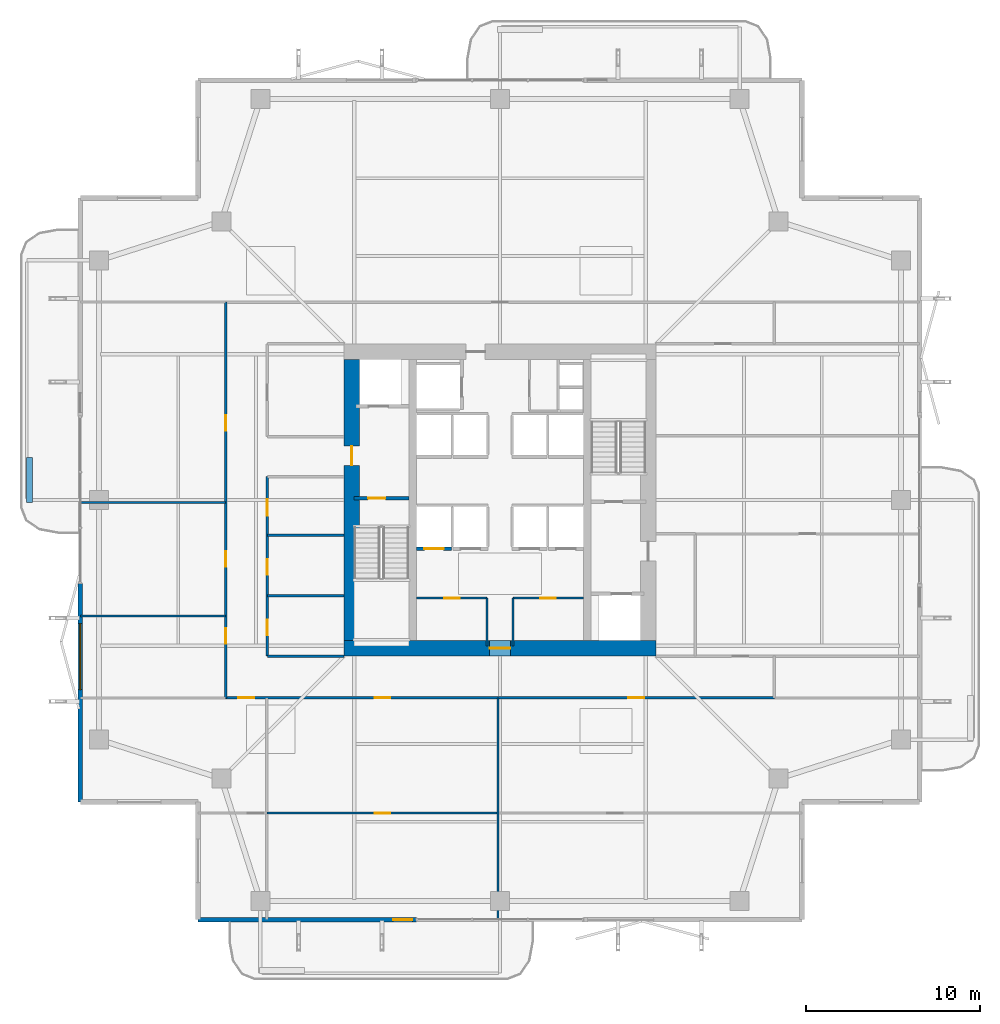
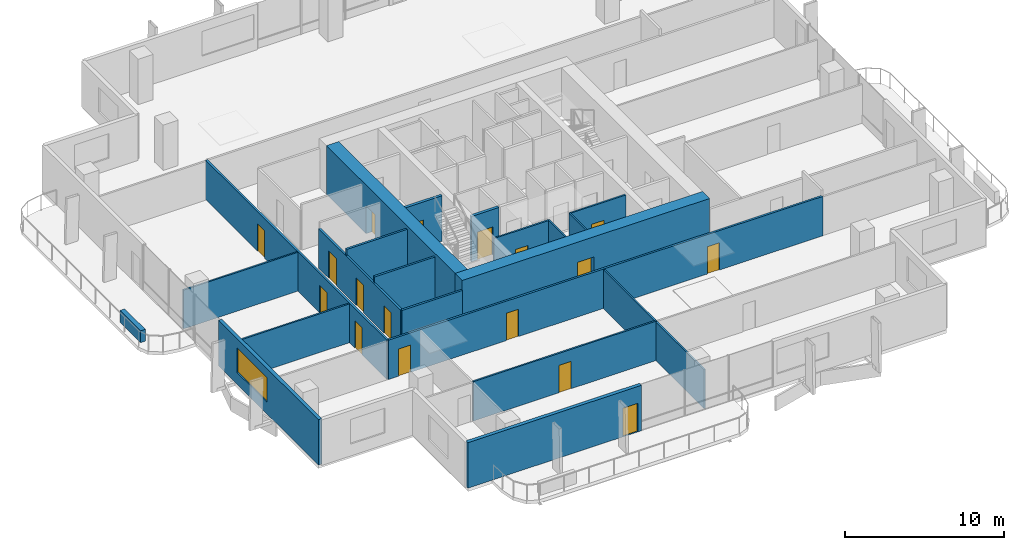
# One storey, part 19 of 25: 21 walls, 17 doors, 1 window, 18 openings.
"""IFC4 building model written with IfcOpenShell, lengths in metres."""

from ifc_helpers import new_model, si_unit, direction, frame, frame_2d, origin, place, context, subcontext, project, spatial, rectangle, extrude, material, layer, layer_set, type_object, element, fill, save


model = new_model("IFC4")

# Units and contexts
model_context = context("Model", 3, precision=1e-05, world=origin(), true_north=direction((0.0, 1.0)))
body_context = subcontext(model_context, "Body", "Model", "MODEL_VIEW")
ifc_project = project(units=[si_unit("LENGTHUNIT", "METRE"), si_unit("AREAUNIT", "SQUARE_METRE"), si_unit("VOLUMEUNIT", "CUBIC_METRE"), si_unit("PLANEANGLEUNIT", "RADIAN"), si_unit("MASSUNIT", "GRAM", prefix="KILO")], contexts=[model_context])

# Site, building, storey
site_placement = place(None, origin())
site = spatial("IfcSite", under=ifc_project, at=site_placement, CompositionType="ELEMENT")
building_placement = place(site_placement, origin())
building = spatial("IfcBuilding", under=site, at=building_placement, Name="Belovzor Exchange Tower", CompositionType="ELEMENT")
storey_placement = place(building_placement, frame((0.0, 0.0, 160.800048828125)))
storey = spatial("IfcBuildingStorey", under=building, at=storey_placement, Name="L39", CompositionType="ELEMENT", Elevation=160.800048828125)

# Wall, opening, door
ifc_material_1 = material(Name="Acoustic Plasterboard on Galvanised Studs", Category="gypsum")
ifc_layer_1 = layer(ifc_material_1, 0.1201171875)
ifc_layer_set_1 = layer_set([ifc_layer_1], Name="Acoustic Plasterboard on Galvanised Studs")
wall_type_1 = type_object("IfcWallType", Name="Acoustic Double-Stud Partition Wall 120", PredefinedType="PARTITIONING", material=ifc_layer_set_1)
wall_1_placement = place(storey_placement, frame((15.364990234375, 10.76611328125, 0.0), z_axis=(0.0, 0.0, 1.0), x_axis=(1.0, 0.0, 0.0)))
wall_1 = element("IfcWall", 1, at=wall_1_placement, inside=storey, type_object=wall_type_1, Name="W-P120 Partition Wall W-L39-SHDIV-1", PredefinedType="PARTITIONING", context=body_context, shape_type="SweptSolid", body=[
    extrude(rectangle(XDim=13.3310546875, YDim=0.1201171875, at=frame_2d((6.66552734375, 0.0))), origin(), (0.0, 0.0, 1.0), 3.030029296875),
])
opening_1_placement = place(wall_1_placement, frame((6.216064453125, 0.0, 0.0)))
opening_1 = element("IfcOpeningElement", 2, at=opening_1_placement, cuts=wall_1, Name="Opening D-INT-090", PredefinedType="OPENING", context=body_context, shape_type="SweptSolid", body=[
    extrude(rectangle(XDim=0.89990234375, YDim=2.10009765625, at=frame_2d((0.449951171875, 1.050048828125))), frame((0.0, 0.070068359375, 0.0), z_axis=(0.0, -1.0, 0.0), x_axis=(1.0, 0.0, 0.0)), (0.0, 0.0, 1.0), 0.14013671875),
])
ifc_material_2 = material(Name="Veneered Hardwood Acoustic Leaf", Category="wood")
door_type_1 = type_object("IfcDoorType", Name="Trading Suite Acoustic Single Door 900x2100", OperationType="NOTDEFINED", PredefinedType="DOOR", material=ifc_material_2)
door_1_placement = place(opening_1_placement, origin())
door_1 = element("IfcDoor", 3, at=door_1_placement, inside=storey, type_object=door_type_1, Name="D-INT-090 Trading Suite Acoustic Single Door 900x2100", OperationType="SINGLE_SWING_LEFT", OverallHeight=2.10009765625, OverallWidth=0.89990234375, PredefinedType="DOOR", context=body_context, shape_type="SweptSolid", body=[
    extrude(rectangle(XDim=0.89990234375, YDim=2.10009765625, at=frame_2d((0.449951171875, 1.050048828125))), frame((0.0, 0.02490234375, 0.0), z_axis=(0.0, -1.0, 0.0), x_axis=(1.0, 0.0, 0.0)), (0.0, 0.0, 1.0), 0.050048828125),
])
fill(opening_1, door_1)

# Walls
wall_2_placement = place(storey_placement, frame((28.696044921875, 4.6298828125, 0.0), z_axis=(0.0, 0.0, 1.0), x_axis=(0.0, 1.0, 0.0)))
element("IfcWall", 4, at=wall_2_placement, inside=storey, type_object=wall_type_1, Name="W-P120 Partition Wall W-L39-SDIV-2", PredefinedType="PARTITIONING", context=body_context, shape_type="SweptSolid", body=[
    extrude(rectangle(XDim=12.77001953125, YDim=0.1201171875, at=frame_2d((6.385009765625, 0.0))), origin(), (0.0, 0.0, 1.0), 2.97998046875),
])
for number, where, z_axis, x_axis, name in (
    (5, (4.6298828125, 22.1259765625, 0.0), (0.0, 0.0, 1.0), (1.0, 0.0, 0.0), "W-P120 Partition Wall W-L39-WDIV-1"),
    (6, (4.6298828125, 28.656982421875, 0.0), (0.0, 0.0, 1.0), (1.0, 0.0, 0.0), "W-P120 Partition Wall W-L39-WDIV-2"),
):
    element("IfcWall", number, at=place(storey_placement, frame(where, z_axis=z_axis, x_axis=x_axis)), inside=storey, type_object=wall_type_1, Name=name, PredefinedType="PARTITIONING", context=body_context, shape_type="SweptSolid", body=[
        extrude(rectangle(XDim=8.3701171875, YDim=0.1201171875, at=frame_2d((4.18505859375, 0.0))), origin(), (0.0, 0.0, 1.0), 2.97998046875),
    ])

# Wall, opening, door
ifc_material_3 = material(Name="Fire-Rated Plasterboard on Galvanised Studs", Category="gypsum")
ifc_layer_2 = layer(ifc_material_3, 0.1201171875)
ifc_layer_set_2 = layer_set([ifc_layer_2], Name="Fire-Rated Plasterboard on Galvanised Studs")
wall_type_2 = type_object("IfcWallType", Name="Fire-Rated Double-Stud Partition Wall 120", PredefinedType="PARTITIONING", material=ifc_layer_set_2)
wall_3_placement = place(storey_placement, frame((24.0, 23.14990234375, 0.0), z_axis=(0.0, 0.0, 1.0), x_axis=(1.0, 0.0, 0.0)))
wall_3 = element("IfcWall", 7, at=wall_3_placement, inside=storey, type_object=wall_type_2, Name="W-P120F Partition Wall W-CRL-L39-WN", PredefinedType="PARTITIONING", context=body_context, shape_type="SweptSolid", body=[
    extrude(rectangle(XDim=4.050048828125, YDim=0.1201171875, at=frame_2d((2.02490234375, 0.0))), origin(), (0.0, 0.0, 1.0), 3.494873046875),
])
opening_2_placement = place(wall_3_placement, frame((1.574951171875, 0.0, 0.0)))
opening_2 = element("IfcOpeningElement", 8, at=opening_2_placement, cuts=wall_3, Name="Opening D-FD60-090", PredefinedType="OPENING", context=body_context, shape_type="SweptSolid", body=[
    extrude(rectangle(XDim=0.89990234375, YDim=2.10009765625, at=frame_2d((0.449951171875, 1.050048828125))), frame((0.0, 0.070068359375, 0.0), z_axis=(0.0, -1.0, 0.0), x_axis=(1.0, 0.0, 0.0)), (0.0, 0.0, 1.0), 0.14013671875),
])
ifc_material_4 = material(Name="Acoustic Timber Fire Leaf", Category="wood")
door_type_2 = type_object("IfcDoorType", Name="Core Service & Restroom Fire Door 900x2100", OperationType="NOTDEFINED", PredefinedType="DOOR", material=ifc_material_4)
door_2_placement = place(opening_2_placement, origin())
door_2 = element("IfcDoor", 9, at=door_2_placement, inside=storey, type_object=door_type_2, Name="D-FD60-090 Core Service & Restroom Fire Door 900x2100", OperationType="SINGLE_SWING_LEFT", OverallHeight=2.10009765625, OverallWidth=0.89990234375, PredefinedType="DOOR", context=body_context, shape_type="SweptSolid", body=[
    extrude(rectangle(XDim=0.89990234375, YDim=2.10009765625, at=frame_2d((0.449951171875, 1.050048828125))), frame((0.0, 0.02490234375, 0.0), z_axis=(0.0, -1.0, 0.0), x_axis=(1.0, 0.0, 0.0)), (0.0, 0.0, 1.0), 0.050048828125),
])
fill(opening_2, door_2)

# Wall
wall_4_placement = place(storey_placement, frame((28.050048828125, 20.39990234375, 0.0), z_axis=(0.0, 0.0, 1.0), x_axis=(0.0, 1.0, 0.0)))
element("IfcWall", 10, at=wall_4_placement, inside=storey, type_object=wall_type_2, Name="W-P120F Partition Wall W-CRL-L39-WE", PredefinedType="PARTITIONING", context=body_context, shape_type="SweptSolid", body=[
    extrude(rectangle(XDim=2.75, YDim=0.1201171875, at=frame_2d((1.375, 0.0))), origin(), (0.0, 0.0, 1.0), 3.494873046875),
])

# Wall, opening, door
wall_5_placement = place(storey_placement, frame((29.550048828125, 23.14990234375, 0.0), z_axis=(0.0, 0.0, 1.0), x_axis=(1.0, 0.0, 0.0)))
wall_5 = element("IfcWall", 11, at=wall_5_placement, inside=storey, type_object=wall_type_2, Name="W-P120F Partition Wall W-CRL-L39-EN", PredefinedType="PARTITIONING", context=body_context, shape_type="SweptSolid", body=[
    extrude(rectangle(XDim=4.050048828125, YDim=0.1201171875, at=frame_2d((2.02490234375, 0.0))), origin(), (0.0, 0.0, 1.0), 3.494873046875),
])
opening_3_placement = place(wall_5_placement, frame((1.574951171875, 0.0, 0.0)))
opening_3 = element("IfcOpeningElement", 12, at=opening_3_placement, cuts=wall_5, Name="Opening D-FD60-090", PredefinedType="OPENING", context=body_context, shape_type="SweptSolid", body=[
    extrude(rectangle(XDim=0.89990234375, YDim=2.10009765625, at=frame_2d((0.449951171875, 1.050048828125))), frame((0.0, 0.070068359375, 0.0), z_axis=(0.0, -1.0, 0.0), x_axis=(1.0, 0.0, 0.0)), (0.0, 0.0, 1.0), 0.14013671875),
])
door_3_placement = place(opening_3_placement, origin())
door_3 = element("IfcDoor", 13, at=door_3_placement, inside=storey, type_object=door_type_2, Name="D-FD60-090 Core Service & Restroom Fire Door 900x2100", OperationType="SINGLE_SWING_RIGHT", OverallHeight=2.10009765625, OverallWidth=0.89990234375, PredefinedType="DOOR", context=body_context, shape_type="SweptSolid", body=[
    extrude(rectangle(XDim=0.89990234375, YDim=2.10009765625, at=frame_2d((0.449951171875, 1.050048828125))), frame((0.0, 0.02490234375, 0.0), z_axis=(0.0, -1.0, 0.0), x_axis=(1.0, 0.0, 0.0)), (0.0, 0.0, 1.0), 0.050048828125),
])
fill(opening_3, door_3)

# Walls
wall_6_placement = place(storey_placement, frame((29.550048828125, 20.39990234375, 0.0), z_axis=(0.0, 0.0, 1.0), x_axis=(0.0, 1.0, 0.0)))
element("IfcWall", 14, at=wall_6_placement, inside=storey, type_object=wall_type_2, Name="W-P120F Partition Wall W-CRL-L39-EW", PredefinedType="PARTITIONING", context=body_context, shape_type="SweptSolid", body=[
    extrude(rectangle(XDim=2.75, YDim=0.1201171875, at=frame_2d((1.375, 0.0))), origin(), (0.0, 0.0, 1.0), 3.494873046875),
])
ifc_material_5 = material(Name="Fire-Rated Gypsum Block and Mineral Wool", Category="gypsum")
ifc_layer_3 = layer(ifc_material_5, 0.14990234375)
ifc_layer_set_3 = layer_set([ifc_layer_3], Name="Fire-Rated Gypsum Block and Mineral Wool")
wall_type_3 = type_object("IfcWallType", Name="Fire-Rated Gypsum Block Corridor Wall 150", PredefinedType="PARTITIONING", material=ifc_layer_set_3)
wall_7_placement = place(storey_placement, frame((15.39990234375, 19.800048828125, 0.0), z_axis=(0.0, 0.0, 1.0), x_axis=(1.0, 0.0, 0.0)))
element("IfcWall", 15, at=wall_7_placement, inside=storey, type_object=wall_type_3, Name="W-P150 Partition Wall W-L39-WIC-S", PredefinedType="PARTITIONING", context=body_context, shape_type="SweptSolid", body=[
    extrude(rectangle(XDim=4.400146484375, YDim=0.14990234375, at=frame_2d((2.2001953125, 0.0))), origin(), (0.0, 0.0, 1.0), 3.030029296875),
])
for number, where, z_axis, x_axis, name in (
    (16, (15.39990234375, 23.27490234375, 0.0), (0.0, 0.0, 1.0), (1.0, 0.0, 0.0), "W-P150 Partition Wall W-L39-WIC-D1"),
    (17, (15.39990234375, 26.77490234375, 0.0), (0.0, 0.0, 1.0), (1.0, 0.0, 0.0), "W-P150 Partition Wall W-L39-WIC-D2"),
):
    element("IfcWall", number, at=place(storey_placement, frame(where, z_axis=z_axis, x_axis=x_axis)), inside=storey, type_object=wall_type_3, Name=name, PredefinedType="PARTITIONING", context=body_context, shape_type="SweptSolid", body=[
        extrude(rectangle(XDim=4.400146484375, YDim=0.14990234375, at=frame_2d((2.2001953125, 0.0))), origin(), (0.0, 0.0, 1.0), 3.494873046875),
    ])

# Wall, openings, doors
wall_8_placement = place(storey_placement, frame((15.39990234375, 19.800048828125, 0.0), z_axis=(0.0, 0.0, 1.0), x_axis=(0.0, 1.0, 0.0)))
wall_8 = element("IfcWall", 18, at=wall_8_placement, inside=storey, type_object=wall_type_3, Name="W-P150 Partition Wall W-L39-WIE-S", PredefinedType="PARTITIONING", context=body_context, shape_type="SweptSolid", body=[
    extrude(rectangle(XDim=10.349853515625, YDim=0.14990234375, at=frame_2d((5.1748046875, 0.0))), origin(), (0.0, 0.0, 1.0), 3.030029296875),
])
opening_4_placement = place(wall_8_placement, frame((1.199951171875, 0.0, 0.0)))
opening_4 = element("IfcOpeningElement", 19, at=opening_4_placement, cuts=wall_8, Name="Opening D-FD60-090", PredefinedType="OPENING", context=body_context, shape_type="SweptSolid", body=[
    extrude(rectangle(XDim=0.89990234375, YDim=2.10009765625, at=frame_2d((0.449951171875, 1.050048828125))), frame((0.0, 0.0849609375, 0.0), z_axis=(0.0, -1.0, 0.0), x_axis=(1.0, 0.0, 0.0)), (0.0, 0.0, 1.0), 0.169921875),
])
opening_5_placement = place(wall_8_placement, frame((4.699951171875, 0.0, 0.0)))
opening_5 = element("IfcOpeningElement", 20, at=opening_5_placement, cuts=wall_8, Name="Opening D-FD60-090", PredefinedType="OPENING", context=body_context, shape_type="SweptSolid", body=[
    extrude(rectangle(XDim=0.89990234375, YDim=2.10009765625, at=frame_2d((0.449951171875, 1.050048828125))), frame((0.0, 0.0849609375, 0.0), z_axis=(0.0, -1.0, 0.0), x_axis=(1.0, 0.0, 0.0)), (0.0, 0.0, 1.0), 0.169921875),
])
opening_6_placement = place(wall_8_placement, frame((8.10009765625, 0.0, 0.0)))
opening_6 = element("IfcOpeningElement", 21, at=opening_6_placement, cuts=wall_8, Name="Opening D-FD60-095", PredefinedType="OPENING", context=body_context, shape_type="SweptSolid", body=[
    extrude(rectangle(XDim=0.949951171875, YDim=2.10009765625, at=frame_2d((0.47509765625, 1.050048828125))), frame((0.0, 0.0849609375, 0.0), z_axis=(0.0, -1.0, 0.0), x_axis=(1.0, 0.0, 0.0)), (0.0, 0.0, 1.0), 0.169921875),
])
ifc_material_6 = material(Name="Moisture-Resistant Timber Fire Leaf", Category="wood")
door_type_3 = type_object("IfcDoorType", Name="Accessible Restroom Wide Fire Door 950x2100", OperationType="NOTDEFINED", PredefinedType="DOOR", material=ifc_material_6)
door_4_placement = place(opening_6_placement, origin())
door_4 = element("IfcDoor", 22, at=door_4_placement, inside=storey, type_object=door_type_3, Name="D-FD60-095 Accessible Restroom Wide Fire Door 950x2100", OperationType="SINGLE_SWING_LEFT", OverallHeight=2.10009765625, OverallWidth=0.949951171875, PredefinedType="DOOR", context=body_context, shape_type="SweptSolid", body=[
    extrude(rectangle(XDim=0.949951171875, YDim=2.10009765625, at=frame_2d((0.47509765625, 1.050048828125))), frame((0.0, 0.02490234375, 0.0), z_axis=(0.0, -1.0, 0.0), x_axis=(1.0, 0.0, 0.0)), (0.0, 0.0, 1.0), 0.050048828125),
])
fill(opening_6, door_4)
door_5_placement = place(opening_4_placement, origin())
door_5 = element("IfcDoor", 23, at=door_5_placement, inside=storey, type_object=door_type_2, Name="D-FD60-090 Core Service & Restroom Fire Door 900x2100", OperationType="SINGLE_SWING_LEFT", OverallHeight=2.10009765625, OverallWidth=0.89990234375, PredefinedType="DOOR", context=body_context, shape_type="SweptSolid", body=[
    extrude(rectangle(XDim=0.89990234375, YDim=2.10009765625, at=frame_2d((0.449951171875, 1.050048828125))), frame((0.0, 0.02490234375, 0.0), z_axis=(0.0, -1.0, 0.0), x_axis=(1.0, 0.0, 0.0)), (0.0, 0.0, 1.0), 0.050048828125),
])
fill(opening_4, door_5)
door_6_placement = place(opening_5_placement, origin())
door_6 = element("IfcDoor", 24, at=door_6_placement, inside=storey, type_object=door_type_2, Name="D-FD60-090 Core Service & Restroom Fire Door 900x2100", OperationType="SINGLE_SWING_RIGHT", OverallHeight=2.10009765625, OverallWidth=0.89990234375, PredefinedType="DOOR", context=body_context, shape_type="SweptSolid", body=[
    extrude(rectangle(XDim=0.89990234375, YDim=2.10009765625, at=frame_2d((0.449951171875, 1.050048828125))), frame((0.0, 0.02490234375, 0.0), z_axis=(0.0, -1.0, 0.0), x_axis=(1.0, 0.0, 0.0)), (0.0, 0.0, 1.0), 0.050048828125),
])
fill(opening_5, door_6)

wall_9_placement = place(storey_placement, frame((13.0, 17.39990234375, 0.0), z_axis=(0.0, 0.0, 1.0), x_axis=(1.0, 0.0, 0.0)))
wall_9 = element("IfcWall", 25, at=wall_9_placement, inside=storey, type_object=wall_type_3, Name="W-P150 Partition Wall W-L39-CS", PredefinedType="PARTITIONING", context=body_context, shape_type="SweptSolid", body=[
    extrude(rectangle(XDim=31.60009765625, YDim=0.14990234375, at=frame_2d((15.800048828125, 0.0))), origin(), (0.0, 0.0, 1.0), 3.030029296875),
])
opening_7_placement = place(wall_9_placement, frame((0.73291015625, 0.0, 0.0)))
opening_7 = element("IfcOpeningElement", 26, at=opening_7_placement, cuts=wall_9, Name="Opening D-INT-090", PredefinedType="OPENING", context=body_context, shape_type="SweptSolid", body=[
    extrude(rectangle(XDim=0.89990234375, YDim=2.10009765625, at=frame_2d((0.449951171875, 1.050048828125))), frame((0.0, 0.0849609375, 0.0), z_axis=(0.0, -1.0, 0.0), x_axis=(1.0, 0.0, 0.0)), (0.0, 0.0, 1.0), 0.169921875),
])
opening_8_placement = place(wall_9_placement, frame((8.5810546875, 0.0, 0.0)))
opening_8 = element("IfcOpeningElement", 27, at=opening_8_placement, cuts=wall_9, Name="Opening D-INT-090", PredefinedType="OPENING", context=body_context, shape_type="SweptSolid", body=[
    extrude(rectangle(XDim=0.89990234375, YDim=2.10009765625, at=frame_2d((0.449951171875, 1.050048828125))), frame((0.0, 0.0849609375, 0.0), z_axis=(0.0, -1.0, 0.0), x_axis=(1.0, 0.0, 0.0)), (0.0, 0.0, 1.0), 0.169921875),
])
opening_9_placement = place(wall_9_placement, frame((23.197998046875, 0.0, 0.0)))
opening_9 = element("IfcOpeningElement", 28, at=opening_9_placement, cuts=wall_9, Name="Opening D-INT-090", PredefinedType="OPENING", context=body_context, shape_type="SweptSolid", body=[
    extrude(rectangle(XDim=0.89990234375, YDim=2.10009765625, at=frame_2d((0.449951171875, 1.050048828125))), frame((0.0, 0.0849609375, 0.0), z_axis=(0.0, -1.0, 0.0), x_axis=(1.0, 0.0, 0.0)), (0.0, 0.0, 1.0), 0.169921875),
])
door_7_placement = place(opening_7_placement, origin())
door_7 = element("IfcDoor", 29, at=door_7_placement, inside=storey, type_object=door_type_1, Name="D-INT-090 Trading Suite Acoustic Single Door 900x2100", OperationType="SINGLE_SWING_RIGHT", OverallHeight=2.10009765625, OverallWidth=0.89990234375, PredefinedType="DOOR", context=body_context, shape_type="SweptSolid", body=[
    extrude(rectangle(XDim=0.89990234375, YDim=2.10009765625, at=frame_2d((0.449951171875, 1.050048828125))), frame((0.0, 0.02490234375, 0.0), z_axis=(0.0, -1.0, 0.0), x_axis=(1.0, 0.0, 0.0)), (0.0, 0.0, 1.0), 0.050048828125),
])
fill(opening_7, door_7)
door_8_placement = place(opening_8_placement, origin())
door_8 = element("IfcDoor", 30, at=door_8_placement, inside=storey, type_object=door_type_1, Name="D-INT-090 Trading Suite Acoustic Single Door 900x2100", OperationType="SINGLE_SWING_LEFT", OverallHeight=2.10009765625, OverallWidth=0.89990234375, PredefinedType="DOOR", context=body_context, shape_type="SweptSolid", body=[
    extrude(rectangle(XDim=0.89990234375, YDim=2.10009765625, at=frame_2d((0.449951171875, 1.050048828125))), frame((0.0, 0.02490234375, 0.0), z_axis=(0.0, -1.0, 0.0), x_axis=(1.0, 0.0, 0.0)), (0.0, 0.0, 1.0), 0.050048828125),
])
fill(opening_8, door_8)
door_9_placement = place(opening_9_placement, origin())
door_9 = element("IfcDoor", 31, at=door_9_placement, inside=storey, type_object=door_type_1, Name="D-INT-090 Trading Suite Acoustic Single Door 900x2100", OperationType="SINGLE_SWING_RIGHT", OverallHeight=2.10009765625, OverallWidth=0.89990234375, PredefinedType="DOOR", context=body_context, shape_type="SweptSolid", body=[
    extrude(rectangle(XDim=0.89990234375, YDim=2.10009765625, at=frame_2d((0.449951171875, 1.050048828125))), frame((0.0, 0.02490234375, 0.0), z_axis=(0.0, -1.0, 0.0), x_axis=(1.0, 0.0, 0.0)), (0.0, 0.0, 1.0), 0.050048828125),
])
fill(opening_9, door_9)

wall_10_placement = place(storey_placement, frame((13.0, 17.39990234375, 0.0), z_axis=(0.0, 0.0, 1.0), x_axis=(0.0, 1.0, 0.0)))
wall_10 = element("IfcWall", 32, at=wall_10_placement, inside=storey, type_object=wall_type_3, Name="W-P150 Partition Wall W-L39-CWO", PredefinedType="PARTITIONING", context=body_context, shape_type="SweptSolid", body=[
    extrude(rectangle(XDim=22.800048828125, YDim=0.14990234375, at=frame_2d((11.39990234375, 0.0))), origin(), (0.0, 0.0, 1.0), 3.030029296875),
])
opening_10_placement = place(wall_10_placement, frame((3.113037109375, 0.0, 0.0)))
opening_10 = element("IfcOpeningElement", 33, at=opening_10_placement, cuts=wall_10, Name="Opening D-INT-090", PredefinedType="OPENING", context=body_context, shape_type="SweptSolid", body=[
    extrude(rectangle(XDim=0.89990234375, YDim=2.10009765625, at=frame_2d((0.449951171875, 1.050048828125))), frame((0.0, 0.0849609375, 0.0), z_axis=(0.0, -1.0, 0.0), x_axis=(1.0, 0.0, 0.0)), (0.0, 0.0, 1.0), 0.169921875),
])
opening_11_placement = place(wall_10_placement, frame((7.5419921875, 0.0, 0.0)))
opening_11 = element("IfcOpeningElement", 34, at=opening_11_placement, cuts=wall_10, Name="Opening D-INT-090", PredefinedType="OPENING", context=body_context, shape_type="SweptSolid", body=[
    extrude(rectangle(XDim=0.89990234375, YDim=2.10009765625, at=frame_2d((0.449951171875, 1.050048828125))), frame((0.0, 0.0849609375, 0.0), z_axis=(0.0, -1.0, 0.0), x_axis=(1.0, 0.0, 0.0)), (0.0, 0.0, 1.0), 0.169921875),
])
opening_12_placement = place(wall_10_placement, frame((15.3779296875, 0.0, 0.0)))
opening_12 = element("IfcOpeningElement", 35, at=opening_12_placement, cuts=wall_10, Name="Opening D-INT-090", PredefinedType="OPENING", context=body_context, shape_type="SweptSolid", body=[
    extrude(rectangle(XDim=0.89990234375, YDim=2.10009765625, at=frame_2d((0.449951171875, 1.050048828125))), frame((0.0, 0.0849609375, 0.0), z_axis=(0.0, -1.0, 0.0), x_axis=(1.0, 0.0, 0.0)), (0.0, 0.0, 1.0), 0.169921875),
])
door_10_placement = place(opening_10_placement, origin())
door_10 = element("IfcDoor", 36, at=door_10_placement, inside=storey, type_object=door_type_1, Name="D-INT-090 Trading Suite Acoustic Single Door 900x2100", OperationType="SINGLE_SWING_LEFT", OverallHeight=2.10009765625, OverallWidth=0.89990234375, PredefinedType="DOOR", context=body_context, shape_type="SweptSolid", body=[
    extrude(rectangle(XDim=0.89990234375, YDim=2.10009765625, at=frame_2d((0.449951171875, 1.050048828125))), frame((0.0, 0.02490234375, 0.0), z_axis=(0.0, -1.0, 0.0), x_axis=(1.0, 0.0, 0.0)), (0.0, 0.0, 1.0), 0.050048828125),
])
fill(opening_10, door_10)
door_11_placement = place(opening_11_placement, origin())
door_11 = element("IfcDoor", 37, at=door_11_placement, inside=storey, type_object=door_type_1, Name="D-INT-090 Trading Suite Acoustic Single Door 900x2100", OperationType="SINGLE_SWING_LEFT", OverallHeight=2.10009765625, OverallWidth=0.89990234375, PredefinedType="DOOR", context=body_context, shape_type="SweptSolid", body=[
    extrude(rectangle(XDim=0.89990234375, YDim=2.10009765625, at=frame_2d((0.449951171875, 1.050048828125))), frame((0.0, 0.02490234375, 0.0), z_axis=(0.0, -1.0, 0.0), x_axis=(1.0, 0.0, 0.0)), (0.0, 0.0, 1.0), 0.050048828125),
])
fill(opening_11, door_11)
door_12_placement = place(opening_12_placement, origin())
door_12 = element("IfcDoor", 38, at=door_12_placement, inside=storey, type_object=door_type_1, Name="D-INT-090 Trading Suite Acoustic Single Door 900x2100", OperationType="SINGLE_SWING_LEFT", OverallHeight=2.10009765625, OverallWidth=0.89990234375, PredefinedType="DOOR", context=body_context, shape_type="SweptSolid", body=[
    extrude(rectangle(XDim=0.89990234375, YDim=2.10009765625, at=frame_2d((0.449951171875, 1.050048828125))), frame((0.0, 0.02490234375, 0.0), z_axis=(0.0, -1.0, 0.0), x_axis=(1.0, 0.0, 0.0)), (0.0, 0.0, 1.0), 0.050048828125),
])
fill(opening_12, door_12)

# Wall, opening, door
ifc_material_7 = material(Name="Precast concrete C40/50", Category="concrete")
ifc_layer_4 = layer(ifc_material_7, 0.260009765625)
ifc_layer_set_4 = layer_set([ifc_layer_4], Name="Precast concrete C40/50")
wall_type_4 = type_object("IfcWallType", Name="Precast Concrete Perimeter Loggia Frame Wall 260", PredefinedType="SOLIDWALL", material=ifc_layer_set_4)
wall_11_placement = place(storey_placement, frame((24.0, 4.6298828125, 0.0), z_axis=(0.0, 0.0, 1.0), x_axis=(-1.0, 0.0, 0.0)))
wall_11 = element("IfcWall", 39, at=wall_11_placement, inside=storey, type_object=wall_type_4, Name="W-EXT260 Precast Concrete Perimeter Loggia Frame Wall 260 L39", PredefinedType="SOLIDWALL", context=body_context, shape_type="SweptSolid", body=[
    extrude(rectangle(XDim=12.60009765625, YDim=0.260009765625, at=frame_2d((6.300048828125, 0.0))), origin(), (0.0, 0.0, 1.0), 3.494873046875),
])
opening_13_placement = place(wall_11_placement, frame((0.25, 0.0, 0.0)))
opening_13 = element("IfcOpeningElement", 40, at=opening_13_placement, cuts=wall_11, Name="Opening D-BAL110", PredefinedType="OPENING", context=body_context, shape_type="SweptSolid", body=[
    extrude(rectangle(XDim=1.10009765625, YDim=2.199951171875, at=frame_2d((0.550048828125, 1.10009765625))), frame((0.0, 0.139892578125, 0.0), z_axis=(0.0, -1.0, 0.0), x_axis=(1.0, 0.0, 0.0)), (0.0, 0.0, 1.0), 0.280029296875),
])
ifc_material_8 = material(Name="Thermally Broken Anodised Aluminium and Laminated Glass", Category="aluminium")
door_type_4 = type_object("IfcDoorType", Name="Planted Loggia Terrace Glazed Door 1100x2200", OperationType="SINGLE_SWING_LEFT", PredefinedType="DOOR", material=ifc_material_8)
door_13_placement = place(opening_13_placement, origin())
door_13 = element("IfcDoor", 41, at=door_13_placement, inside=storey, type_object=door_type_4, Name="D-BAL110 Balcony Terrace Door L39 S", OperationType="SINGLE_SWING_LEFT", OverallHeight=2.199951171875, OverallWidth=1.10009765625, PredefinedType="DOOR", context=body_context, shape_type="SweptSolid", body=[
    extrude(rectangle(XDim=1.10009765625, YDim=2.199951171875, at=frame_2d((0.550048828125, 1.10009765625))), frame((0.0, 0.02490234375, 0.0), z_axis=(0.0, -1.0, 0.0), x_axis=(1.0, 0.0, 0.0)), (0.0, 0.0, 1.0), 0.050048828125),
])
fill(opening_13, door_13)

# Wall, opening, window
wall_12_placement = place(storey_placement, frame((4.6298828125, 11.39990234375, 0.0), z_axis=(0.0, 0.0, 1.0), x_axis=(0.0, 1.0, 0.0)))
wall_12 = element("IfcWall", 42, at=wall_12_placement, inside=storey, type_object=wall_type_4, Name="W-EXT260 Precast Concrete Perimeter Loggia Frame Wall 260 L39", PredefinedType="SOLIDWALL", context=body_context, shape_type="SweptSolid", body=[
    extrude(rectangle(XDim=12.60009765625, YDim=0.260009765625, at=frame_2d((6.300048828125, 0.0))), origin(), (0.0, 0.0, 1.0), 3.494873046875),
])
opening_14_placement = place(wall_12_placement, frame((6.47509765625, 0.0, 0.89990234375)))
opening_14 = element("IfcOpeningElement", 43, at=opening_14_placement, cuts=wall_12, Name="Opening WN-RIB380", PredefinedType="OPENING", context=body_context, shape_type="SweptSolid", body=[
    extrude(rectangle(XDim=3.800048828125, YDim=1.89990234375, at=frame_2d((1.89990234375, 0.949951171875))), frame((0.0, 0.139892578125, 0.0), z_axis=(0.0, -1.0, 0.0), x_axis=(1.0, 0.0, 0.0)), (0.0, 0.0, 1.0), 0.280029296875),
])
ifc_material_9 = material(Name="Thermally Broken Aluminium and Triple Glazing", Category="aluminium")
window_type = type_object("IfcWindowType", Name="Streamline Moderne Horizontal Ribbon Window 3800x1900", PartitioningType="SINGLE_PANEL", PredefinedType="WINDOW", material=ifc_material_9)
window_placement = place(opening_14_placement, origin())
window = element("IfcWindow", 44, at=window_placement, inside=storey, type_object=window_type, Name="WN-RIB380 Streamline Moderne Horizontal Ribbon Window 3800x1900", OverallHeight=1.89990234375, OverallWidth=3.800048828125, PartitioningType="SINGLE_PANEL", PredefinedType="WINDOW", context=body_context, shape_type="SweptSolid", body=[
    extrude(rectangle(XDim=3.800048828125, YDim=1.89990234375, at=frame_2d((1.89990234375, 0.949951171875))), frame((0.0, 0.030029296875, 0.0), z_axis=(0.0, -1.0, 0.0), x_axis=(1.0, 0.0, 0.0)), (0.0, 0.0, 1.0), 0.06005859375),
])
fill(opening_14, window)

# Wall
ifc_material_10 = material(Name="Precast concrete C40/50", Category="concrete")
ifc_layer_5 = layer(ifc_material_10, 0.35009765625)
ifc_layer_set_5 = layer_set([ifc_layer_5], Name="Precast concrete C40/50")
wall_type_5 = type_object("IfcWallType", Name="Precast Concrete Structural Tree Planter Trough 350", PredefinedType="PARAPET", material=ifc_layer_set_5)
wall_13_placement = place(storey_placement, frame((1.699951171875, 28.64990234375, 0.0), z_axis=(0.0, 0.0, 1.0), x_axis=(0.0, 1.0, 0.0)))
element("IfcWall", 45, at=wall_13_placement, inside=storey, type_object=wall_type_5, Name="PT-350 Precast Concrete Structural Tree Planter Trough 350 L39", PredefinedType="PARAPET", context=body_context, shape_type="SweptSolid", body=[
    extrude(rectangle(XDim=2.60009765625, YDim=0.35009765625, at=frame_2d((1.300048828125, 0.0))), origin(), (0.0, 0.0, 1.0), 0.89990234375),
])

# Wall, opening, door
ifc_material_11 = material(Name="Concrete C50/60", Category="concrete")
ifc_layer_6 = layer(ifc_material_11, 0.199951171875)
ifc_layer_set_6 = layer_set([ifc_layer_6], Name="Concrete C50/60")
wall_type_6 = type_object("IfcWallType", Name="Reinforced Concrete Core Shaft Shear Wall 200", PredefinedType="SHEAR", material=ifc_layer_set_6)
wall_14_placement = place(storey_placement, frame((20.39990234375, 28.89990234375, 0.0), z_axis=(0.0, 0.0, 1.0), x_axis=(1.0, 0.0, 0.0)))
wall_14 = element("IfcWall", 46, at=wall_14_placement, inside=storey, type_object=wall_type_6, Name="W-C200S Core Shaft Wall W-CORE-L39-FFLW1", PredefinedType="SHEAR", context=body_context, shape_type="SweptSolid", body=[
    extrude(rectangle(XDim=3.150146484375, YDim=0.199951171875, at=frame_2d((1.5751953125, 0.0))), origin(), (0.0, 0.0, 1.0), 3.494873046875),
])
opening_15_placement = place(wall_14_placement, frame((0.800048828125, 0.0, 0.0)))
opening_15 = element("IfcOpeningElement", 47, at=opening_15_placement, cuts=wall_14, Name="Opening D-FD90-100", PredefinedType="OPENING", context=body_context, shape_type="SweptSolid", body=[
    extrude(rectangle(XDim=1.0, YDim=2.10009765625, at=frame_2d((0.5, 1.050048828125))), frame((0.0, 0.10986328125, 0.0), z_axis=(0.0, -1.0, 0.0), x_axis=(1.0, 0.0, 0.0)), (0.0, 0.0, 1.0), 0.219970703125),
])
ifc_material_12 = material(Name="Fire-Rated Galvanised Steel Leaf", Category="steel")
door_type_5 = type_object("IfcDoorType", Name="Protected Stairwell Single Fire Door 1000x2100", OperationType="NOTDEFINED", PredefinedType="DOOR", material=ifc_material_12)
door_14_placement = place(opening_15_placement, origin())
door_14 = element("IfcDoor", 48, at=door_14_placement, inside=storey, type_object=door_type_5, Name="D-FD90-100 Protected Stairwell Single Fire Door 1000x2100", OperationType="SINGLE_SWING_RIGHT", OverallHeight=2.10009765625, OverallWidth=1.0, PredefinedType="DOOR", context=body_context, shape_type="SweptSolid", body=[
    extrude(rectangle(XDim=1.0, YDim=2.10009765625, at=frame_2d((0.5, 1.050048828125))), frame((0.0, 0.02490234375, 0.0), z_axis=(0.0, -1.0, 0.0), x_axis=(1.0, 0.0, 0.0)), (0.0, 0.0, 1.0), 0.050048828125),
])
fill(opening_15, door_14)

wall_15_placement = place(storey_placement, frame((24.0, 26.0, 0.0), z_axis=(0.0, 0.0, 1.0), x_axis=(1.0, 0.0, 0.0)))
wall_15 = element("IfcWall", 49, at=wall_15_placement, inside=storey, type_object=wall_type_6, Name="W-C200S Core Shaft Wall W-SH-L39-PL-M1", PredefinedType="SHEAR", context=body_context, shape_type="SweptSolid", body=[
    extrude(rectangle(XDim=2.0, YDim=0.199951171875, at=frame_2d((1.0, 0.0))), origin(), (0.0, 0.0, 1.0), 3.494873046875),
])
opening_16_placement = place(wall_15_placement, frame((0.449951171875, 0.0, 0.0)))
opening_16 = element("IfcOpeningElement", 50, at=opening_16_placement, cuts=wall_15, Name="Opening LD-110", PredefinedType="OPENING", context=body_context, shape_type="SweptSolid", body=[
    extrude(rectangle(XDim=1.10009765625, YDim=2.14990234375, at=frame_2d((0.550048828125, 1.074951171875))), frame((0.0, 0.10986328125, 0.0), z_axis=(0.0, -1.0, 0.0), x_axis=(1.0, 0.0, 0.0)), (0.0, 0.0, 1.0), 0.219970703125),
])
ifc_material_13 = material(Name="Stainless Steel Grade 304", Category="steel")
door_type_6 = type_object("IfcDoorType", Name="Automated Stainless Steel Lift Landing Door 1100x2150", OperationType="SLIDING_TO_RIGHT", PredefinedType="DOOR", material=ifc_material_13)
door_15_placement = place(opening_16_placement, origin())
door_15 = element("IfcDoor", 51, at=door_15_placement, inside=storey, type_object=door_type_6, Name="LD-110 Automated Stainless Steel Lift Landing Door 1100x2150", OperationType="SLIDING_TO_RIGHT", OverallHeight=2.14990234375, OverallWidth=1.10009765625, PredefinedType="DOOR", context=body_context, shape_type="SweptSolid", body=[
    extrude(rectangle(XDim=1.10009765625, YDim=2.14990234375, at=frame_2d((0.550048828125, 1.074951171875))), frame((0.0, 0.02490234375, 0.0), z_axis=(0.0, -1.0, 0.0), x_axis=(1.0, 0.0, 0.0)), (0.0, 0.0, 1.0), 0.050048828125),
])
fill(opening_16, door_15)

ifc_material_14 = material(Name="Concrete C60/75", Category="concrete")
ifc_layer_7 = layer(ifc_material_14, 0.89990234375)
ifc_layer_set_7 = layer_set([ifc_layer_7], Name="Concrete C60/75")
wall_type_7 = type_object("IfcWallType", Name="Reinforced Concrete Core Shear Wall 900", PredefinedType="SHEAR", material=ifc_layer_set_7)
wall_16_placement = place(storey_placement, frame((19.800048828125, 20.25, 0.0), z_axis=(0.0, 0.0, 1.0), x_axis=(1.0, 0.0, 0.0)))
wall_16 = element("IfcWall", 52, at=wall_16_placement, inside=storey, type_object=wall_type_7, Name="CW-S090 Core Shear Wall L39 S", PredefinedType="SHEAR", context=body_context, shape_type="SweptSolid", body=[
    extrude(rectangle(XDim=18.0, YDim=0.89990234375, at=frame_2d((9.0, 0.0))), origin(), (0.0, 0.0, 1.0), 3.75),
])
opening_17_placement = place(wall_16_placement, frame((8.39990234375, 0.0, 0.0)))
opening_17 = element("IfcOpeningElement", 53, at=opening_17_placement, cuts=wall_16, Name="Opening D-FD90-120", PredefinedType="OPENING", context=body_context, shape_type="SweptSolid", body=[
    extrude(rectangle(XDim=1.199951171875, YDim=2.199951171875, at=frame_2d((0.60009765625, 1.10009765625))), frame((0.0, 0.4599609375, 0.0), z_axis=(0.0, -1.0, 0.0), x_axis=(1.0, 0.0, 0.0)), (0.0, 0.0, 1.0), 0.919921875),
])
ifc_material_15 = material(Name="Fire-Rated Galvanised Steel Leaf", Category="steel")
door_type_7 = type_object("IfcDoorType", Name="Heavy Plant & Foyer Fire Door 1200x2200", OperationType="NOTDEFINED", PredefinedType="DOOR", material=ifc_material_15)
door_16_placement = place(opening_17_placement, origin())
door_16 = element("IfcDoor", 54, at=door_16_placement, inside=storey, type_object=door_type_7, Name="D-FD90-120 Heavy Plant & Foyer Fire Door 1200x2200", OperationType="SINGLE_SWING_LEFT", OverallHeight=2.199951171875, OverallWidth=1.199951171875, PredefinedType="DOOR", context=body_context, shape_type="SweptSolid", body=[
    extrude(rectangle(XDim=1.199951171875, YDim=2.199951171875, at=frame_2d((0.60009765625, 1.10009765625))), frame((0.0, 0.02490234375, 0.0), z_axis=(0.0, -1.0, 0.0), x_axis=(1.0, 0.0, 0.0)), (0.0, 0.0, 1.0), 0.050048828125),
])
fill(opening_17, door_16)

wall_17_placement = place(storey_placement, frame((20.25, 20.699951171875, 0.0), z_axis=(0.0, 0.0, 1.0), x_axis=(0.0, 1.0, 0.0)))
wall_17 = element("IfcWall", 55, at=wall_17_placement, inside=storey, type_object=wall_type_7, Name="CW-S090 Core Shear Wall L39 W", PredefinedType="SHEAR", context=body_context, shape_type="SweptSolid", body=[
    extrude(rectangle(XDim=16.199951171875, YDim=0.89990234375, at=frame_2d((8.10009765625, 0.0))), origin(), (0.0, 0.0, 1.0), 3.75),
])
opening_18_placement = place(wall_17_placement, frame((10.10009765625, 0.0, 0.0)))
opening_18 = element("IfcOpeningElement", 56, at=opening_18_placement, cuts=wall_17, Name="Opening D-FD90-110", PredefinedType="OPENING", context=body_context, shape_type="SweptSolid", body=[
    extrude(rectangle(XDim=1.10009765625, YDim=2.14990234375, at=frame_2d((0.550048828125, 1.074951171875))), frame((0.0, 0.4599609375, 0.0), z_axis=(0.0, -1.0, 0.0), x_axis=(1.0, 0.0, 0.0)), (0.0, 0.0, 1.0), 0.919921875),
])
ifc_material_16 = material(Name="Fire-Rated Galvanised Steel Leaf", Category="steel")
door_type_8 = type_object("IfcDoorType", Name="Protected Escape Vestibule Fire Door 1100x2150", OperationType="NOTDEFINED", PredefinedType="DOOR", material=ifc_material_16)
door_17_placement = place(opening_18_placement, origin())
door_17 = element("IfcDoor", 57, at=door_17_placement, inside=storey, type_object=door_type_8, Name="D-FD90-110 Protected Escape Vestibule Fire Door 1100x2150", OperationType="SINGLE_SWING_LEFT", OverallHeight=2.14990234375, OverallWidth=1.10009765625, PredefinedType="DOOR", context=body_context, shape_type="SweptSolid", body=[
    extrude(rectangle(XDim=1.10009765625, YDim=2.14990234375, at=frame_2d((0.550048828125, 1.074951171875))), frame((0.0, 0.02490234375, 0.0), z_axis=(0.0, -1.0, 0.0), x_axis=(1.0, 0.0, 0.0)), (0.0, 0.0, 1.0), 0.050048828125),
])
fill(opening_18, door_17)

save(model, "model.ifc")
